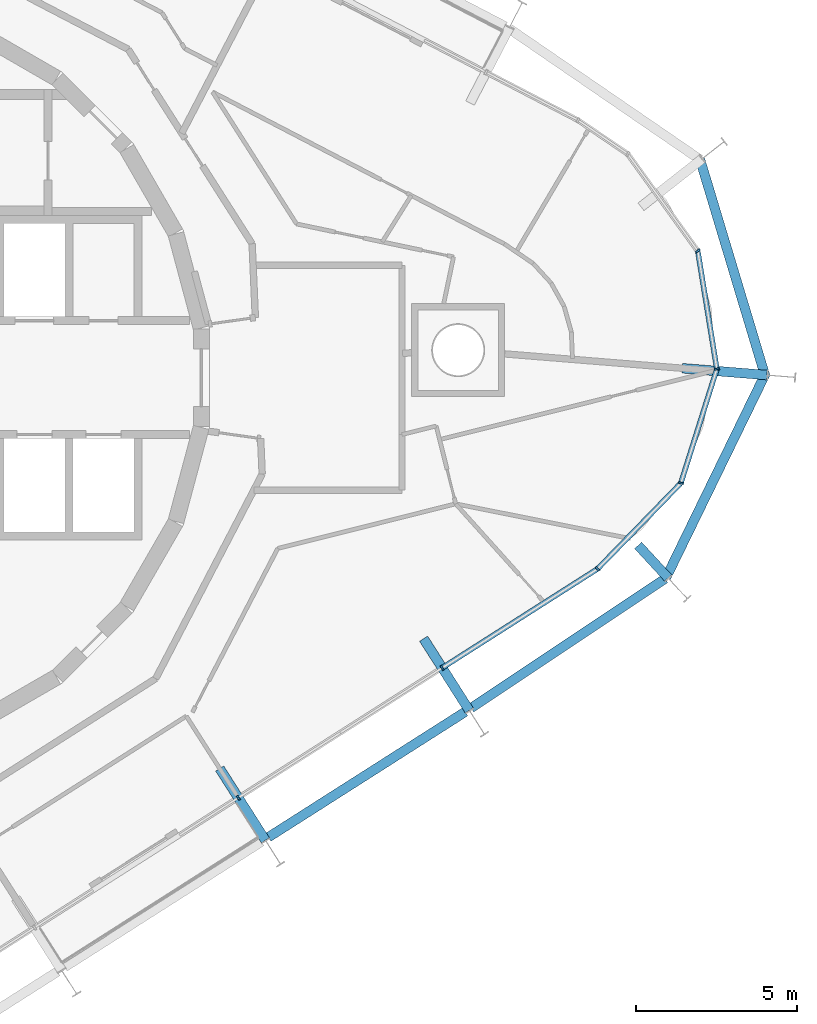
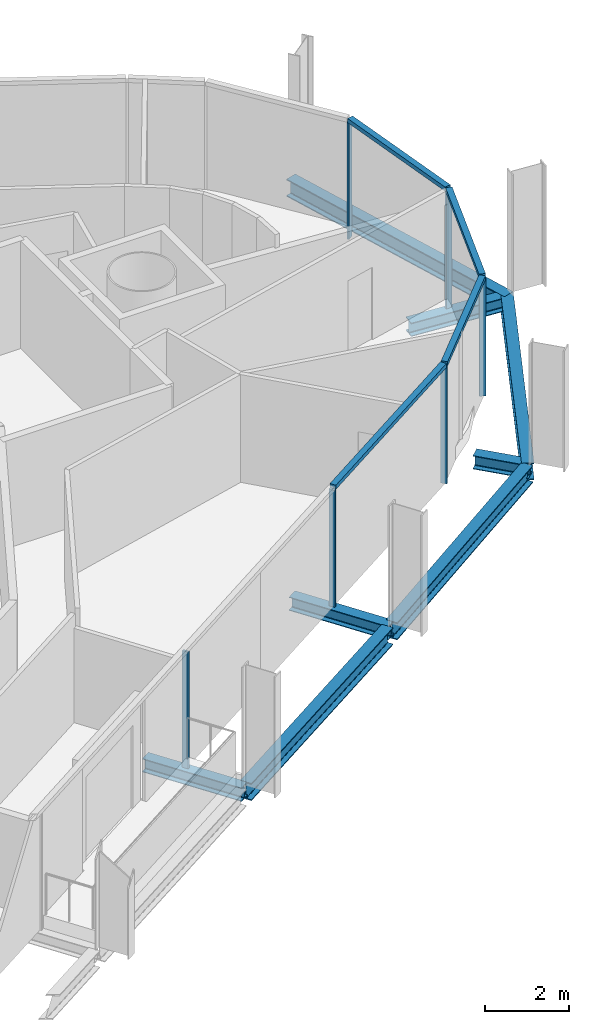
# One storey, part 5 of 18: 10 members, 8 beams, 2 elements without a shape of their own.
"""IFC4 building model written with IfcOpenShell, lengths in metres."""

from ifc_helpers import new_model, si_unit, direction, frame, origin, origin_2d, place, context, subcontext, project, spatial, rectangle, i_section, extrude, material, layer, layer_set, material_profile, profile_set, type_object, element, aggregate, save


model = new_model("IFC4")

# Units and contexts
model_context = context("Model", 3, precision=1e-05, world=origin(), true_north=direction((0.0, 1.0)))
body_context = subcontext(model_context, "Body", "Model", "MODEL_VIEW")
ifc_project = project(units=[si_unit("LENGTHUNIT", "METRE"), si_unit("AREAUNIT", "SQUARE_METRE"), si_unit("VOLUMEUNIT", "CUBIC_METRE"), si_unit("PLANEANGLEUNIT", "RADIAN"), si_unit("MASSUNIT", "GRAM", prefix="KILO")], contexts=[model_context])

# Site, building, storey
site_placement = place(None, origin())
site = spatial("IfcSite", under=ifc_project, at=site_placement, CompositionType="ELEMENT")
building_placement = place(site_placement, origin())
building = spatial("IfcBuilding", under=site, at=building_placement, Name="Spindle Arch Residences", CompositionType="ELEMENT")
storey_placement = place(building_placement, frame((0.0, 0.0, 230.199951171875)))
storey = spatial("IfcBuildingStorey", under=building, at=storey_placement, Name="L58", CompositionType="ELEMENT", Elevation=230.199951171875)

# Curtain wall, members
ifc_material_1 = material(Name="Aluminium bronze unitised frame with tinted glass", Category="aluminium")
ifc_layer_1 = layer(ifc_material_1, 0.159912109375)
ifc_layer_set_1 = layer_set([ifc_layer_1], Name="CW-D corner wall on the fillet arcs")
curtain_wall_type_1 = type_object("IfcCurtainWallType", Name="CW-D corner wall on the fillet arcs", PredefinedType="NOTDEFINED", material=ifc_layer_set_1)
curtain_wall_1_placement = place(storey_placement, origin())
curtain_wall_1 = element("IfcCurtainWall", 1, at=curtain_wall_1_placement, inside=storey, type_object=curtain_wall_type_1, Name="CW-D L58 run 1", PredefinedType="NOTDEFINED")
ifc_material_2 = material(Name="Aluminium bronze anodised mullion", Category="aluminium")
ifc_material_profile_1 = material_profile(ifc_material_2, rectangle(XDim=0.159912109375, YDim=0.06005859375, at=origin_2d()), Name="MU 60x160")
ifc_profile_set_1 = profile_set([ifc_material_profile_1], Name="Aluminium bronze anodised mullion")
member_type_1 = type_object("IfcMemberType", Name="Bronze mullion 60x160", PredefinedType="MULLION", material=ifc_profile_set_1)
member_1_placement = place(storey_placement, frame((19.151611328125, -9.0400390625, -0.3798828125), z_axis=(0.0, 0.0, 1.0), x_axis=(-0.537299608347, 0.843391445813, 0.0)))
member_1 = element("IfcMember", 2, at=member_1_placement, type_object=member_type_1, Name="CW-D mullion 00", PredefinedType="MULLION", context=body_context, shape_type="SweptSolid", body=[
    extrude(rectangle(XDim=0.159912109375, YDim=0.06005859375, at=origin_2d()), origin(), (0.0, 0.0, 1.0), 3.3798828125),
])
member_2_placement = place(storey_placement, frame((23.991455078125, -5.956787109375, -0.3798828125), z_axis=(0.0, 0.0, 1.0), x_axis=(-0.71731607908, 0.696747904692, 0.0)))
member_2 = element("IfcMember", 3, at=member_2_placement, type_object=member_type_1, Name="CW-D mullion 01", PredefinedType="MULLION", context=body_context, shape_type="SweptSolid", body=[
    extrude(rectangle(XDim=0.159912109375, YDim=0.06005859375, at=origin_2d()), origin(), (0.0, 0.0, 1.0), 3.3798828125),
])
member_3_placement = place(storey_placement, frame((26.587890625, -3.283447265625, -0.3798828125), z_axis=(0.0, 0.0, 1.0), x_axis=(-0.953716949352, 0.300705803932, 0.0)))
member_3 = element("IfcMember", 4, at=member_3_placement, type_object=member_type_1, Name="CW-D mullion 02", PredefinedType="MULLION", context=body_context, shape_type="SweptSolid", body=[
    extrude(rectangle(XDim=0.159912109375, YDim=0.06005859375, at=origin_2d()), origin(), (0.0, 0.0, 1.0), 3.3798828125),
])
member_4_placement = place(storey_placement, frame((27.708740234375, 0.270751953125, -0.3798828125), z_axis=(0.0, 0.0, 1.0), x_axis=(-0.987229114298, -0.15930686075, 0.0)))
member_4 = element("IfcMember", 5, at=member_4_placement, type_object=member_type_1, Name="CW-D mullion 03", PredefinedType="MULLION", context=body_context, shape_type="SweptSolid", body=[
    extrude(rectangle(XDim=0.159912109375, YDim=0.06005859375, at=origin_2d()), origin(), (0.0, 0.0, 1.0), 3.3798828125),
])
member_5_placement = place(storey_placement, frame((27.114990234375, 3.949951171875, -0.3798828125), z_axis=(0.0, 0.0, 1.0), x_axis=(-0.810723368962, -0.585429431289, 0.0)))
member_5 = element("IfcMember", 6, at=member_5_placement, type_object=member_type_1, Name="CW-D mullion 04", PredefinedType="MULLION", context=body_context, shape_type="SweptSolid", body=[
    extrude(rectangle(XDim=0.159912109375, YDim=0.06005859375, at=origin_2d()), origin(), (0.0, 0.0, 1.0), 3.3798828125),
])

# Curtain wall, member
ifc_material_3 = material(Name="Aluminium bronze unitised frame with tinted glass", Category="aluminium")
ifc_layer_2 = layer(ifc_material_3, 0.159912109375)
ifc_layer_set_2 = layer_set([ifc_layer_2], Name="CW-C typical residential unitised wall")
curtain_wall_type_2 = type_object("IfcCurtainWallType", Name="CW-C typical residential unitised wall", PredefinedType="NOTDEFINED", material=ifc_layer_set_2)
curtain_wall_2_placement = place(storey_placement, origin())
curtain_wall_2 = element("IfcCurtainWall", 7, at=curtain_wall_2_placement, inside=storey, type_object=curtain_wall_type_2, Name="CW-C L58 run 6", PredefinedType="NOTDEFINED")
member_6_placement = place(storey_placement, frame((12.80078125, -13.0859375, -0.3798828125), z_axis=(0.0, 0.0, 1.0), x_axis=(-0.537299608347, 0.843391445813, 0.0)))
member_6 = element("IfcMember", 8, at=member_6_placement, type_object=member_type_1, Name="CW-C mullion 00", PredefinedType="MULLION", context=body_context, shape_type="SweptSolid", body=[
    extrude(rectangle(XDim=0.159912109375, YDim=0.06005859375, at=origin_2d()), origin(), (0.0, 0.0, 1.0), 3.3798828125),
])
aggregate(curtain_wall_2, [member_6])

# Member
ifc_material_4 = material(Name="Aluminium bronze anodised transom", Category="aluminium")
ifc_material_profile_2 = material_profile(ifc_material_4, rectangle(XDim=0.159912109375, YDim=0.1201171875, at=origin_2d()), Name="TR 120x160")
ifc_profile_set_2 = profile_set([ifc_material_profile_2], Name="Aluminium bronze anodised transom")
member_type_2 = type_object("IfcMemberType", Name="Bronze transom 120x160", PredefinedType="USERDEFINED", material=ifc_profile_set_2)
member_7_placement = place(storey_placement, frame((19.177001953125, -9.02392578125, 3.06005859375), z_axis=(0.843386969226, 0.537306635115, 0.0), x_axis=(-0.537306635115, 0.843386969226, 0.0)))
member_7 = element("IfcMember", 9, at=member_7_placement, type_object=member_type_2, Name="CW-D transom 00", ObjectType="TRANSOM", PredefinedType="USERDEFINED", context=body_context, shape_type="SweptSolid", body=[
    extrude(rectangle(XDim=0.159912109375, YDim=0.1201171875, at=origin_2d()), origin(), (0.0, 0.0, 1.0), 5.678466796875),
])

member_8_placement = place(storey_placement, frame((24.01220703125, -5.93505859375, 3.06005859375), z_axis=(0.696778833098, 0.717286036213, 0.0), x_axis=(-0.717286036213, 0.696778833098, 0.0)))
member_8 = element("IfcMember", 10, at=member_8_placement, type_object=member_type_2, Name="CW-D transom 01", ObjectType="TRANSOM", PredefinedType="USERDEFINED", context=body_context, shape_type="SweptSolid", body=[
    extrude(rectangle(XDim=0.159912109375, YDim=0.1201171875, at=origin_2d()), origin(), (0.0, 0.0, 1.0), 3.666748046875),
])

member_9_placement = place(storey_placement, frame((26.596923828125, -3.2548828125, 3.06005859375), z_axis=(0.300745778047, 0.953704344641, 0.0), x_axis=(-0.953704344641, 0.300745778047, 0.0)))
member_9 = element("IfcMember", 11, at=member_9_placement, type_object=member_type_2, Name="CW-D transom 02", ObjectType="TRANSOM", PredefinedType="USERDEFINED", context=body_context, shape_type="SweptSolid", body=[
    extrude(rectangle(XDim=0.159912109375, YDim=0.1201171875, at=origin_2d()), origin(), (0.0, 0.0, 1.0), 3.666748046875),
])

member_10_placement = place(storey_placement, frame((27.703857421875, 0.300537109375, 3.06005859375), z_axis=(-0.15933292013, 0.987224908804, 0.0), x_axis=(-0.987224908804, -0.15933292013, 0.0)))
member_10 = element("IfcMember", 12, at=member_10_placement, type_object=member_type_2, Name="CW-D transom 03", ObjectType="TRANSOM", PredefinedType="USERDEFINED", context=body_context, shape_type="SweptSolid", body=[
    extrude(rectangle(XDim=0.159912109375, YDim=0.1201171875, at=origin_2d()), origin(), (0.0, 0.0, 1.0), 3.666748046875),
])

aggregate(curtain_wall_1, [member_1, member_7, member_2, member_8, member_3, member_9, member_4, member_10, member_5])

# Beams
ifc_material_5 = material(Name="Steel S460ML, intumescent coating R 120", Category="steel")
ifc_material_profile_3 = material_profile(ifc_material_5, i_section(OverallWidth=0.300048828125, OverallDepth=0.5, WebThickness=0.014404296875, FlangeThickness=0.028076171875, FilletRadius=0.027099609375, at=origin_2d()), Name="HEB 500")
ifc_profile_set_3 = profile_set([ifc_material_profile_3], Name="Steel S460ML, intumescent coating R 120")
beam_type_1 = type_object("IfcBeamType", Name="Exoskeleton edge beam HEB 500", PredefinedType="BEAM", material=ifc_profile_set_3)
beam_1_placement = place(storey_placement, frame((13.73779296875, -14.314697265625, -0.6298828125), z_axis=(0.843406961456, 0.53727525289, 0.0), x_axis=(-0.53727525289, 0.843406961456, 0.0)))
element("IfcBeam", 13, at=beam_1_placement, inside=storey, type_object=beam_type_1, Name="Exoskeleton edge beam 1", PredefinedType="BEAM", context=body_context, shape_type="SweptSolid", body=[
    extrude(i_section(OverallWidth=0.300048828125, OverallDepth=0.5, WebThickness=0.014404296875, FlangeThickness=0.028076171875, FilletRadius=0.027099609375, at=origin_2d()), origin(), (0.0, 0.0, 1.0), 7.27001953125),
])
beam_2_placement = place(storey_placement, frame((20.05224609375, -10.291015625, -0.6298828125), z_axis=(0.83190027786, 0.554925155041, 0.0), x_axis=(-0.554925155041, 0.83190027786, 0.0)))
element("IfcBeam", 14, at=beam_2_placement, inside=storey, type_object=beam_type_1, Name="Exoskeleton edge beam 2", PredefinedType="BEAM", context=body_context, shape_type="SweptSolid", body=[
    extrude(i_section(OverallWidth=0.300048828125, OverallDepth=0.5, WebThickness=0.014404296875, FlangeThickness=0.028076171875, FilletRadius=0.027099609375, at=origin_2d()), origin(), (0.0, 0.0, 1.0), 7.26220703125),
])
for number, where, z_axis, x_axis, name in (
    (15, (26.1201171875, -6.241943359375, -0.6298828125), (0.43802573961, 0.898962430494, 0.0), (-0.898962430494, 0.43802573961, 0.0), "Exoskeleton edge beam 3"),
    (16, (29.22021484375, 0.03076171875, -0.6298828125), (-0.288038985398, 0.957618683449, 0.0), (-0.957618683449, -0.288038985398, 0.0), "Exoskeleton edge beam 4"),
):
    element("IfcBeam", number, at=place(storey_placement, frame(where, z_axis=z_axis, x_axis=x_axis)), inside=storey, type_object=beam_type_1, Name=name, PredefinedType="BEAM", context=body_context, shape_type="SweptSolid", body=[
        extrude(i_section(OverallWidth=0.300048828125, OverallDepth=0.5, WebThickness=0.014404296875, FlangeThickness=0.028076171875, FilletRadius=0.027099609375, at=origin_2d()), origin(), (0.0, 0.0, 1.0), 7.096923828125),
    ])
ifc_material_6 = material(Name="Steel S460ML, intumescent coating R 120", Category="steel")
ifc_material_profile_4 = material_profile(ifc_material_6, i_section(OverallWidth=0.300048828125, OverallDepth=0.389892578125, WebThickness=0.010986328125, FlangeThickness=0.01904296875, FilletRadius=0.027099609375, at=origin_2d()), Name="HEA 400")
ifc_profile_set_4 = profile_set([ifc_material_profile_4], Name="Steel S460ML, intumescent coating R 120")
beam_type_2 = type_object("IfcBeamType", Name="Floor outrigger HEA 400", PredefinedType="BEAM", material=ifc_profile_set_4)
for number, where, z_axis, x_axis, name in (
    (17, (13.644287109375, -14.409912109375, -0.574951171875), (-0.537316570745, 0.843380639334, 0.0), (-0.843380639334, -0.537316570745, 0.0), "Floor outrigger 1"),
    (18, (19.9951171875, -10.364013671875, -0.574951171875), (-0.537316570745, 0.843380639334, 0.0), (-0.843380639334, -0.537316570745, 0.0), "Floor outrigger 2"),
):
    element("IfcBeam", number, at=place(storey_placement, frame(where, z_axis=z_axis, x_axis=x_axis)), inside=storey, type_object=beam_type_2, Name=name, PredefinedType="BEAM", context=body_context, shape_type="SweptSolid", body=[
        extrude(i_section(OverallWidth=0.300048828125, OverallDepth=0.389892578125, WebThickness=0.010986328125, FlangeThickness=0.01904296875, FilletRadius=0.027099609375, at=origin_2d()), origin(), (0.0, 0.0, 1.0), 2.64990234375),
    ])
beam_3_placement = place(storey_placement, frame((26.189697265625, -6.23828125, -0.574951171875), z_axis=(-0.677647212058, 0.735387147011, 0.0), x_axis=(-0.735387147011, -0.677647212058, 0.0)))
element("IfcBeam", 19, at=beam_3_placement, inside=storey, type_object=beam_type_2, Name="Floor outrigger 3", PredefinedType="BEAM", context=body_context, shape_type="SweptSolid", body=[
    extrude(i_section(OverallWidth=0.300048828125, OverallDepth=0.389892578125, WebThickness=0.010986328125, FlangeThickness=0.01904296875, FilletRadius=0.027099609375, at=origin_2d()), origin(), (0.0, 0.0, 1.0), 1.37841796875),
])
beam_4_placement = place(storey_placement, frame((29.268798828125, 0.080810546875, -0.574951171875), z_axis=(-0.996753470089, 0.080514097307, 0.0), x_axis=(-0.080514097307, -0.996753470089, 0.0)))
element("IfcBeam", 20, at=beam_4_placement, inside=storey, type_object=beam_type_2, Name="Floor outrigger 4", PredefinedType="BEAM", context=body_context, shape_type="SweptSolid", body=[
    extrude(i_section(OverallWidth=0.300048828125, OverallDepth=0.389892578125, WebThickness=0.010986328125, FlangeThickness=0.01904296875, FilletRadius=0.027099609375, at=origin_2d()), origin(), (0.0, 0.0, 1.0), 2.650146484375),
])

save(model, "model.ifc")
